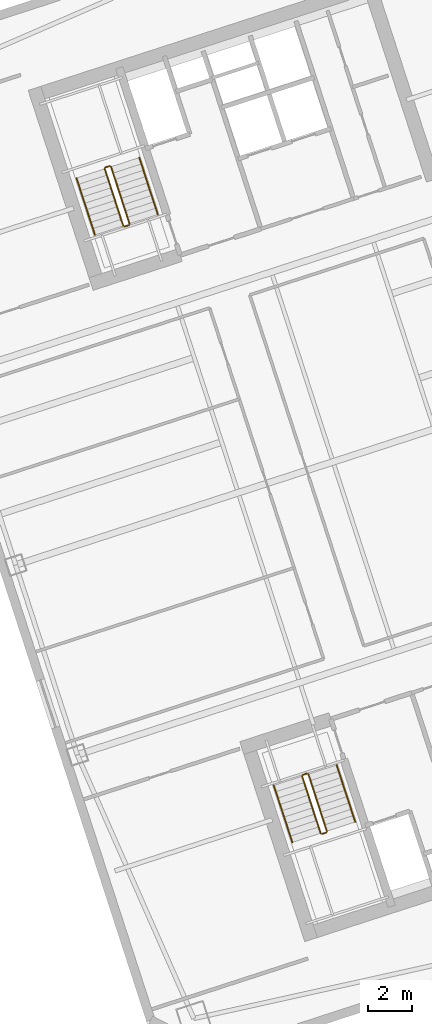
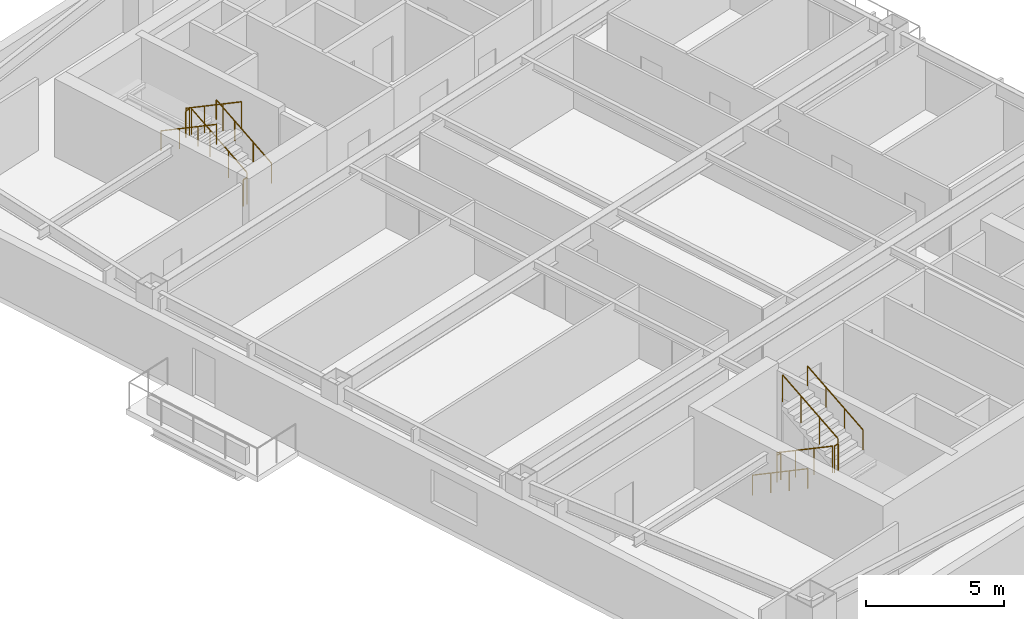
# One storey, part 16 of 17: 12 railings.
"""IFC4 building model written with IfcOpenShell, lengths in metres."""

from ifc_helpers import new_model, si_unit, direction, frame, origin, origin_2d, place, context, subcontext, project, spatial, circle, extrude, material, type_object, element, save


model = new_model("IFC4")

# Units and contexts
model_context = context("Model", 3, precision=1e-05, world=origin(), true_north=direction((0.0, 1.0)))
body_context = subcontext(model_context, "Body", "Model", "MODEL_VIEW")
ifc_project = project(units=[si_unit("LENGTHUNIT", "METRE"), si_unit("AREAUNIT", "SQUARE_METRE"), si_unit("VOLUMEUNIT", "CUBIC_METRE"), si_unit("PLANEANGLEUNIT", "RADIAN"), si_unit("MASSUNIT", "GRAM", prefix="KILO")], contexts=[model_context])

# Site, building, storey
site_placement = place(None, origin())
site = spatial("IfcSite", under=ifc_project, at=site_placement, CompositionType="ELEMENT")
building_placement = place(site_placement, origin())
building = spatial("IfcBuilding", under=site, at=building_placement, Name="Qiaolan Cultural Towers", CompositionType="ELEMENT")
storey_placement = place(building_placement, frame((0.0, 0.0, 156.39990234375)))
storey = spatial("IfcBuildingStorey", under=building, at=storey_placement, Name="L41", CompositionType="ELEMENT", Elevation=156.39990234375)

# Railings
ifc_material_1 = material(Name="Galvanized Painted Steel Stair Guardrail", Category="steel")
railing_type_1 = type_object("IfcRailingType", Name="RL-STAIR-GRD", PredefinedType="GUARDRAIL", material=ifc_material_1)
railing_1_placement = place(storey_placement, frame((88.60205078125, 19.82421875, 0.172607421875)))
element("IfcRailing", 1, at=railing_1_placement, inside=storey, type_object=railing_type_1, Name="L41 ST-E1 stair guard 1", PredefinedType="GUARDRAIL", context=body_context, shape_type="SweptSolid", body=[
    extrude(circle(Radius=0.02392578125, at=origin_2d()), frame((0.0, 0.0, 1.17578125), z_axis=(0.267925668498, -0.824471088726, 0.498460891159), x_axis=(0.951043371037, 0.309057448393, 0.0)), (0.0, 0.0, 1.0), 3.114501953125),
    extrude(circle(Radius=0.02099609375, at=origin_2d()), origin(), (0.0, 0.0, 1.0), 1.15185546875),
    extrude(circle(Radius=0.02099609375, at=origin_2d()), frame((0.278076171875, -0.85595703125, 0.517578125)), (0.0, 0.0, 1.0), 1.15185546875),
    extrude(circle(Radius=0.02099609375, at=origin_2d()), frame((0.556396484375, -1.7119140625, 1.034912109375)), (0.0, 0.0, 1.0), 1.15185546875),
    extrude(circle(Radius=0.02099609375, at=origin_2d()), frame((0.83447265625, -2.56787109375, 1.552490234375)), (0.0, 0.0, 1.0), 1.15185546875),
])
railing_2_placement = place(storey_placement, frame((89.49951171875, 17.224365234375, 1.72509765625)))
element("IfcRailing", 2, at=railing_2_placement, inside=storey, type_object=railing_type_1, Name="L41 ST-E1 stair guard 2", PredefinedType="GUARDRAIL", context=body_context, shape_type="SweptSolid", body=[
    extrude(circle(Radius=0.02392578125, at=origin_2d()), frame((0.0, 0.0, 1.17578125), z_axis=(0.951096855055, 0.308892816854, 0.0), x_axis=(-0.308892816854, 0.951096855055, 0.0)), (0.0, 0.0, 1.0), 0.199951171875),
    extrude(circle(Radius=0.02099609375, at=origin_2d()), origin(), (0.0, 0.0, 1.0), 1.15185546875),
    extrude(circle(Radius=0.02099609375, at=origin_2d()), frame((0.190185546875, 0.061767578125, 0.0)), (0.0, 0.0, 1.0), 1.15185546875),
])
railing_3_placement = place(storey_placement, frame((89.721923828125, 17.34912109375, 1.897705078125)))
element("IfcRailing", 3, at=railing_3_placement, inside=storey, type_object=railing_type_1, Name="L41 ST-E1 stair guard 3", PredefinedType="GUARDRAIL", context=body_context, shape_type="SweptSolid", body=[
    extrude(circle(Radius=0.02392578125, at=origin_2d()), frame((0.0, 0.0, 1.17578125), z_axis=(-0.267925668498, 0.824471088726, 0.498460891159), x_axis=(-0.951043371037, -0.309057448393, 0.0)), (0.0, 0.0, 1.0), 3.114501953125),
    extrude(circle(Radius=0.02099609375, at=origin_2d()), origin(), (0.0, 0.0, 1.0), 1.15185546875),
    extrude(circle(Radius=0.02099609375, at=origin_2d()), frame((-0.278076171875, 0.85595703125, 0.517578125)), (0.0, 0.0, 1.0), 1.15185546875),
    extrude(circle(Radius=0.02099609375, at=origin_2d()), frame((-0.556396484375, 1.7119140625, 1.034912109375)), (0.0, 0.0, 1.0), 1.15185546875),
    extrude(circle(Radius=0.02099609375, at=origin_2d()), frame((-0.83447265625, 2.56787109375, 1.552490234375)), (0.0, 0.0, 1.0), 1.15185546875),
])
railing_4_placement = place(storey_placement, frame((88.63427734375, 19.88720703125, 0.0)))
element("IfcRailing", 4, at=railing_4_placement, inside=storey, type_object=railing_type_1, Name="L41 ST-E1 stair guard 4", PredefinedType="GUARDRAIL", context=body_context, shape_type="SweptSolid", body=[
    extrude(circle(Radius=0.02392578125, at=origin_2d()), frame((0.0, 0.0, 1.17578125), z_axis=(0.951096855055, 0.308892816854, 0.0), x_axis=(-0.308892816854, 0.951096855055, 0.0)), (0.0, 0.0, 1.0), 0.199951171875),
    extrude(circle(Radius=0.02099609375, at=origin_2d()), origin(), (0.0, 0.0, 1.0), 1.15185546875),
    extrude(circle(Radius=0.02099609375, at=origin_2d()), frame((0.190185546875, 0.061767578125, 0.0)), (0.0, 0.0, 1.0), 1.15185546875),
])
railing_5_placement = place(storey_placement, frame((80.822021484375, 44.739501953125, 0.172607421875)))
element("IfcRailing", 5, at=railing_5_placement, inside=storey, type_object=railing_type_1, Name="L41 ST-E2 stair guard 1", PredefinedType="GUARDRAIL", context=body_context, shape_type="SweptSolid", body=[
    extrude(circle(Radius=0.02392578125, at=origin_2d()), frame((0.0, 0.0, 1.17578125), z_axis=(-0.26785290645, 0.824488402118, 0.498471358535), x_axis=(-0.951069945308, -0.308975661068, 0.0)), (0.0, 0.0, 1.0), 3.114501953125),
    extrude(circle(Radius=0.02099609375, at=origin_2d()), origin(), (0.0, 0.0, 1.0), 1.15185546875),
    extrude(circle(Radius=0.02099609375, at=origin_2d()), frame((-0.278076171875, 0.85595703125, 0.517578125)), (0.0, 0.0, 1.0), 1.15185546875),
    extrude(circle(Radius=0.02099609375, at=origin_2d()), frame((-0.55615234375, 1.7119140625, 1.034912109375)), (0.0, 0.0, 1.0), 1.15185546875),
    extrude(circle(Radius=0.02099609375, at=origin_2d()), frame((-0.834228515625, 2.56787109375, 1.552490234375)), (0.0, 0.0, 1.0), 1.15185546875),
])
railing_6_placement = place(storey_placement, frame((79.9248046875, 47.33935546875, 1.72509765625)))
element("IfcRailing", 6, at=railing_6_placement, inside=storey, type_object=railing_type_1, Name="L41 ST-E2 stair guard 2", PredefinedType="GUARDRAIL", context=body_context, shape_type="SweptSolid", body=[
    extrude(circle(Radius=0.02392578125, at=origin_2d()), frame((0.0, 0.0, 1.17578125), z_axis=(-0.951096855055, -0.308892816854, 0.0), x_axis=(0.308892816854, -0.951096855055, 0.0)), (0.0, 0.0, 1.0), 0.199951171875),
    extrude(circle(Radius=0.02099609375, at=origin_2d()), origin(), (0.0, 0.0, 1.0), 1.15185546875),
    extrude(circle(Radius=0.02099609375, at=origin_2d()), frame((-0.190185546875, -0.061767578125, 0.0)), (0.0, 0.0, 1.0), 1.15185546875),
])
railing_7_placement = place(storey_placement, frame((79.702392578125, 47.214599609375, 1.897705078125)))
element("IfcRailing", 7, at=railing_7_placement, inside=storey, type_object=railing_type_1, Name="L41 ST-E2 stair guard 3", PredefinedType="GUARDRAIL", context=body_context, shape_type="SweptSolid", body=[
    extrude(circle(Radius=0.02392578125, at=origin_2d()), frame((0.0, 0.0, 1.17578125), z_axis=(0.267925668498, -0.824471088726, 0.498460891159), x_axis=(0.951043371037, 0.309057448393, 0.0)), (0.0, 0.0, 1.0), 3.114501953125),
    extrude(circle(Radius=0.02099609375, at=origin_2d()), origin(), (0.0, 0.0, 1.0), 1.15185546875),
    extrude(circle(Radius=0.02099609375, at=origin_2d()), frame((0.278076171875, -0.85595703125, 0.517578125)), (0.0, 0.0, 1.0), 1.15185546875),
    extrude(circle(Radius=0.02099609375, at=origin_2d()), frame((0.556396484375, -1.7119140625, 1.034912109375)), (0.0, 0.0, 1.0), 1.15185546875),
    extrude(circle(Radius=0.02099609375, at=origin_2d()), frame((0.83447265625, -2.56787109375, 1.552490234375)), (0.0, 0.0, 1.0), 1.15185546875),
])
railing_8_placement = place(storey_placement, frame((80.7900390625, 44.676513671875, 0.0)))
element("IfcRailing", 8, at=railing_8_placement, inside=storey, type_object=railing_type_1, Name="L41 ST-E2 stair guard 4", PredefinedType="GUARDRAIL", context=body_context, shape_type="SweptSolid", body=[
    extrude(circle(Radius=0.02392578125, at=origin_2d()), frame((0.0, 0.0, 1.17578125), z_axis=(-0.951096855055, -0.308892816854, 0.0), x_axis=(0.308892816854, -0.951096855055, 0.0)), (0.0, 0.0, 1.0), 0.199951171875),
    extrude(circle(Radius=0.02099609375, at=origin_2d()), origin(), (0.0, 0.0, 1.0), 1.15185546875),
    extrude(circle(Radius=0.02099609375, at=origin_2d()), frame((-0.190185546875, -0.061767578125, 0.0)), (0.0, 0.0, 1.0), 1.15185546875),
])
ifc_material_2 = material(Name="Stainless Steel S30408 Tubular Handrail", Category="steel")
railing_type_2 = type_object("IfcRailingType", Name="RL-STAIR-HR", PredefinedType="HANDRAIL", material=ifc_material_2)
railing_9_placement = place(storey_placement, frame((87.32763671875, 19.41015625, 0.172607421875)))
element("IfcRailing", 9, at=railing_9_placement, inside=storey, type_object=railing_type_2, Name="L41 ST-E1 stair handrail 1", PredefinedType="HANDRAIL", context=body_context, shape_type="SweptSolid", body=[
    extrude(circle(Radius=0.02392578125, at=origin_2d()), frame((0.0, 0.0, 0.8759765625), z_axis=(0.267925668498, -0.824471088726, 0.498460891159), x_axis=(0.951043371037, 0.309057448393, 0.0)), (0.0, 0.0, 1.0), 3.114501953125),
    extrude(circle(Radius=0.02099609375, at=origin_2d()), origin(), (0.0, 0.0, 1.0), 0.851806640625),
    extrude(circle(Radius=0.02099609375, at=origin_2d()), frame((0.278076171875, -0.85595703125, 0.517578125)), (0.0, 0.0, 1.0), 0.851806640625),
    extrude(circle(Radius=0.02099609375, at=origin_2d()), frame((0.556396484375, -1.7119140625, 1.034912109375)), (0.0, 0.0, 1.0), 0.851806640625),
    extrude(circle(Radius=0.02099609375, at=origin_2d()), frame((0.83447265625, -2.56787109375, 1.552490234375)), (0.0, 0.0, 1.0), 0.851806640625),
])
railing_10_placement = place(storey_placement, frame((90.996337890625, 17.76318359375, 1.897705078125)))
element("IfcRailing", 10, at=railing_10_placement, inside=storey, type_object=railing_type_2, Name="L41 ST-E1 stair handrail 2", PredefinedType="HANDRAIL", context=body_context, shape_type="SweptSolid", body=[
    extrude(circle(Radius=0.02392578125, at=origin_2d()), frame((0.0, 0.0, 0.8759765625), z_axis=(-0.267925668498, 0.824471088726, 0.498460891159), x_axis=(-0.951043371037, -0.309057448393, 0.0)), (0.0, 0.0, 1.0), 3.114501953125),
    extrude(circle(Radius=0.02099609375, at=origin_2d()), origin(), (0.0, 0.0, 1.0), 0.851806640625),
    extrude(circle(Radius=0.02099609375, at=origin_2d()), frame((-0.278076171875, 0.85595703125, 0.517578125)), (0.0, 0.0, 1.0), 0.851806640625),
    extrude(circle(Radius=0.02099609375, at=origin_2d()), frame((-0.556396484375, 1.7119140625, 1.034912109375)), (0.0, 0.0, 1.0), 0.851806640625),
    extrude(circle(Radius=0.02099609375, at=origin_2d()), frame((-0.83447265625, 2.56787109375, 1.552490234375)), (0.0, 0.0, 1.0), 0.851806640625),
])
railing_11_placement = place(storey_placement, frame((82.096435546875, 45.153564453125, 0.172607421875)))
element("IfcRailing", 11, at=railing_11_placement, inside=storey, type_object=railing_type_2, Name="L41 ST-E2 stair handrail 1", PredefinedType="HANDRAIL", context=body_context, shape_type="SweptSolid", body=[
    extrude(circle(Radius=0.02392578125, at=origin_2d()), frame((0.0, 0.0, 0.8759765625), z_axis=(-0.26785290645, 0.824488402118, 0.498471358535), x_axis=(-0.951069945308, -0.308975661068, 0.0)), (0.0, 0.0, 1.0), 3.114501953125),
    extrude(circle(Radius=0.02099609375, at=origin_2d()), origin(), (0.0, 0.0, 1.0), 0.851806640625),
    extrude(circle(Radius=0.02099609375, at=origin_2d()), frame((-0.278076171875, 0.85595703125, 0.517578125)), (0.0, 0.0, 1.0), 0.851806640625),
    extrude(circle(Radius=0.02099609375, at=origin_2d()), frame((-0.55615234375, 1.7119140625, 1.034912109375)), (0.0, 0.0, 1.0), 0.851806640625),
    extrude(circle(Radius=0.02099609375, at=origin_2d()), frame((-0.834228515625, 2.56787109375, 1.552490234375)), (0.0, 0.0, 1.0), 0.851806640625),
])
railing_12_placement = place(storey_placement, frame((78.427978515625, 46.800537109375, 1.897705078125)))
element("IfcRailing", 12, at=railing_12_placement, inside=storey, type_object=railing_type_2, Name="L41 ST-E2 stair handrail 2", PredefinedType="HANDRAIL", context=body_context, shape_type="SweptSolid", body=[
    extrude(circle(Radius=0.02392578125, at=origin_2d()), frame((0.0, 0.0, 0.8759765625), z_axis=(0.267925668498, -0.824471088726, 0.498460891159), x_axis=(0.951043371037, 0.309057448393, 0.0)), (0.0, 0.0, 1.0), 3.114501953125),
    extrude(circle(Radius=0.02099609375, at=origin_2d()), origin(), (0.0, 0.0, 1.0), 0.851806640625),
    extrude(circle(Radius=0.02099609375, at=origin_2d()), frame((0.278076171875, -0.85595703125, 0.517578125)), (0.0, 0.0, 1.0), 0.851806640625),
    extrude(circle(Radius=0.02099609375, at=origin_2d()), frame((0.556396484375, -1.7119140625, 1.034912109375)), (0.0, 0.0, 1.0), 0.851806640625),
    extrude(circle(Radius=0.02099609375, at=origin_2d()), frame((0.83447265625, -2.56787109375, 1.552490234375)), (0.0, 0.0, 1.0), 0.851806640625),
])

save(model, "model.ifc")
